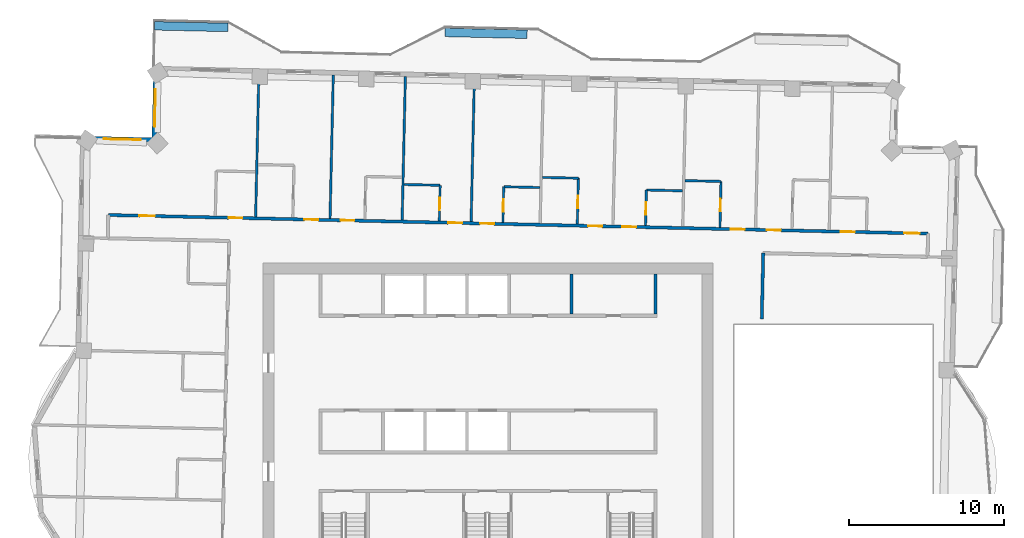
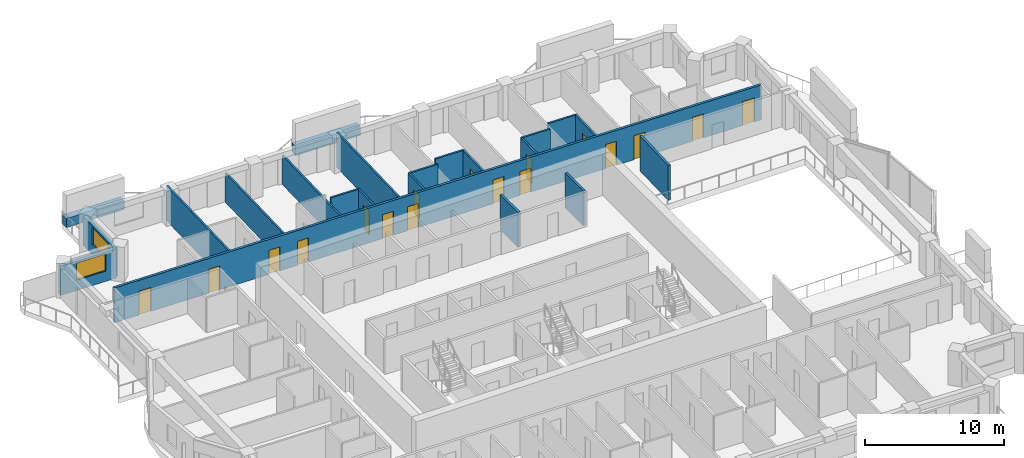
# One storey, part 11 of 17: 22 walls, 17 doors, 2 windows, 19 openings.
"""IFC4 building model written with IfcOpenShell, lengths in metres."""

from ifc_helpers import new_model, si_unit, direction, frame, frame_2d, origin, place, context, subcontext, project, spatial, rectangle, extrude, material, layer, layer_set, type_object, element, fill, save


model = new_model("IFC4")

# Units and contexts
model_context = context("Model", 3, precision=1e-05, world=origin(), true_north=direction((0.0, 1.0)))
body_context = subcontext(model_context, "Body", "Model", "MODEL_VIEW")
ifc_project = project(units=[si_unit("LENGTHUNIT", "METRE"), si_unit("AREAUNIT", "SQUARE_METRE"), si_unit("VOLUMEUNIT", "CUBIC_METRE"), si_unit("PLANEANGLEUNIT", "RADIAN"), si_unit("MASSUNIT", "GRAM", prefix="KILO")], contexts=[model_context])

# Site, building, storey
site_placement = place(None, origin())
site = spatial("IfcSite", under=ifc_project, at=site_placement, CompositionType="ELEMENT")
building_placement = place(site_placement, origin())
building = spatial("IfcBuilding", under=site, at=building_placement, Name="Mangrove Gate Tower", CompositionType="ELEMENT")
storey_placement = place(building_placement, frame((0.0, 0.0, 260.89990234375)))
storey = spatial("IfcBuildingStorey", under=building, at=storey_placement, Name="L66", CompositionType="ELEMENT", Elevation=260.89990234375)

# Walls
ifc_material_1 = material(Name="Concrete C32/40", Category="concrete")
ifc_layer_1 = layer(ifc_material_1, 0.199951171875)
ifc_layer_set_1 = layer_set([ifc_layer_1], Name="Core room wall 200 C32/40")
wall_type_1 = type_object("IfcWallType", Name="Core room wall 200 C32/40", PredefinedType="STANDARD", material=ifc_layer_set_1)
for number, where, z_axis, x_axis, name in (
    (1, (5.39990234375, 8.199951171875, 0.0), (0.0, 0.0, 1.0), (0.0, 1.0, 0.0), "WALL-L66-CORE-30"),
    (2, (10.800048828125, 8.199951171875, 0.0), (0.0, 0.0, 1.0), (0.0, 1.0, 0.0), "WALL-L66-CORE-31"),
):
    element("IfcWall", number, at=place(storey_placement, frame(where, z_axis=z_axis, x_axis=x_axis)), inside=storey, type_object=wall_type_1, Name=name, PredefinedType="STANDARD", context=body_context, shape_type="SweptSolid", body=[
        extrude(rectangle(XDim=2.60009765625, YDim=0.199951171875, at=frame_2d((1.300048828125, 0.0))), origin(), (0.0, 0.0, 1.0), 3.050048828125),
    ])
ifc_material_2 = material(Name="Gypsum board on steel stud, EI 60", Category="steel")
ifc_layer_2 = layer(ifc_material_2, 0.199951171875)
ifc_layer_set_2 = layer_set([ifc_layer_2], Name="Corridor wall EI 60")
wall_type_2 = type_object("IfcWallType", Name="Corridor wall EI 60", PredefinedType="PARTITIONING", material=ifc_layer_set_2)
wall_1_placement = place(storey_placement, frame((17.660888671875, 7.904052734375, 0.0), z_axis=(0.0, 0.0, 1.0), x_axis=(0.022718785711, 0.999741895079, 0.0)))
element("IfcWall", 3, at=wall_1_placement, inside=storey, type_object=wall_type_2, Name="WALL-L66-051", PredefinedType="PARTITIONING", context=body_context, shape_type="SweptSolid", body=[
    extrude(rectangle(XDim=4.23388671875, YDim=0.199951171875, at=frame_2d((2.116943359375, 0.0))), origin(), (0.0, 0.0, 1.0), 3.050048828125),
])

# Wall, openings, doors
wall_2_placement = place(storey_placement, frame((-24.47412109375, 14.595947265625, 0.0), z_axis=(0.0, 0.0, 1.0), x_axis=(0.999742424031, -0.022695497208, 0.0)))
wall_2 = element("IfcWall", 4, at=wall_2_placement, inside=storey, type_object=wall_type_2, Name="WALL-L66-060", PredefinedType="PARTITIONING", context=body_context, shape_type="SweptSolid", body=[
    extrude(rectangle(XDim=52.871826171875, YDim=0.199951171875, at=frame_2d((26.43603515625, 0.0))), origin(), (0.0, 0.0, 1.0), 3.050048828125),
])
opening_1_placement = place(wall_2_placement, frame((51.3359375, 0.0, 0.0)))
opening_1 = element("IfcOpeningElement", 5, at=opening_1_placement, cuts=wall_2, Name="Opening AD", PredefinedType="OPENING", context=body_context, shape_type="SweptSolid", body=[
    extrude(rectangle(XDim=1.0, YDim=2.10009765625, at=frame_2d((0.5, 1.050048828125))), frame((0.0, 0.10986328125, 0.0), z_axis=(0.0, -1.0, 0.0), x_axis=(1.0, 0.0, 0.0)), (0.0, 0.0, 1.0), 0.219970703125),
])
opening_2_placement = place(wall_2_placement, frame((47.25, 0.0, 0.0)))
opening_2 = element("IfcOpeningElement", 6, at=opening_2_placement, cuts=wall_2, Name="Opening SD", PredefinedType="OPENING", context=body_context, shape_type="SweptSolid", body=[
    extrude(rectangle(XDim=0.89990234375, YDim=2.10009765625, at=frame_2d((0.449951171875, 1.050048828125))), frame((0.0, 0.10986328125, 0.0), z_axis=(0.0, -1.0, 0.0), x_axis=(1.0, 0.0, 0.0)), (0.0, 0.0, 1.0), 0.219970703125),
])
opening_3_placement = place(wall_2_placement, frame((42.47509765625, 0.0, 0.0)))
opening_3 = element("IfcOpeningElement", 7, at=opening_3_placement, cuts=wall_2, Name="Opening BD", PredefinedType="OPENING", context=body_context, shape_type="SweptSolid", body=[
    extrude(rectangle(XDim=0.89990234375, YDim=2.10009765625, at=frame_2d((0.449951171875, 1.050048828125))), frame((0.0, 0.10986328125, 0.0), z_axis=(0.0, -1.0, 0.0), x_axis=(1.0, 0.0, 0.0)), (0.0, 0.0, 1.0), 0.219970703125),
])
opening_4_placement = place(wall_2_placement, frame((40.14990234375, 0.0, 0.0)))
opening_4 = element("IfcOpeningElement", 8, at=opening_4_placement, cuts=wall_2, Name="Opening BD", PredefinedType="OPENING", context=body_context, shape_type="SweptSolid", body=[
    extrude(rectangle(XDim=0.89990234375, YDim=2.10009765625, at=frame_2d((0.449951171875, 1.050048828125))), frame((0.0, 0.10986328125, 0.0), z_axis=(0.0, -1.0, 0.0), x_axis=(1.0, 0.0, 0.0)), (0.0, 0.0, 1.0), 0.219970703125),
])
opening_5_placement = place(wall_2_placement, frame((33.14990234375, 0.0, 0.0)))
opening_5 = element("IfcOpeningElement", 9, at=opening_5_placement, cuts=wall_2, Name="Opening BD", PredefinedType="OPENING", context=body_context, shape_type="SweptSolid", body=[
    extrude(rectangle(XDim=0.89990234375, YDim=2.10009765625, at=frame_2d((0.449951171875, 1.050048828125))), frame((0.0, 0.10986328125, 0.0), z_axis=(0.0, -1.0, 0.0), x_axis=(1.0, 0.0, 0.0)), (0.0, 0.0, 1.0), 0.219970703125),
])
opening_6_placement = place(wall_2_placement, frame((30.949951171875, 0.0, 0.0)))
opening_6 = element("IfcOpeningElement", 10, at=opening_6_placement, cuts=wall_2, Name="Opening BD", PredefinedType="OPENING", context=body_context, shape_type="SweptSolid", body=[
    extrude(rectangle(XDim=0.89990234375, YDim=2.10009765625, at=frame_2d((0.449951171875, 1.050048828125))), frame((0.0, 0.10986328125, 0.0), z_axis=(0.0, -1.0, 0.0), x_axis=(1.0, 0.0, 0.0)), (0.0, 0.0, 1.0), 0.219970703125),
])
opening_7_placement = place(wall_2_placement, frame((23.97509765625, 0.0, 0.0)))
opening_7 = element("IfcOpeningElement", 11, at=opening_7_placement, cuts=wall_2, Name="Opening BD", PredefinedType="OPENING", context=body_context, shape_type="SweptSolid", body=[
    extrude(rectangle(XDim=0.89990234375, YDim=2.10009765625, at=frame_2d((0.449951171875, 1.050048828125))), frame((0.0, 0.10986328125, 0.0), z_axis=(0.0, -1.0, 0.0), x_axis=(1.0, 0.0, 0.0)), (0.0, 0.0, 1.0), 0.219970703125),
])
opening_8_placement = place(wall_2_placement, frame((21.925048828125, 0.0, 0.0)))
opening_8 = element("IfcOpeningElement", 12, at=opening_8_placement, cuts=wall_2, Name="Opening BD", PredefinedType="OPENING", context=body_context, shape_type="SweptSolid", body=[
    extrude(rectangle(XDim=0.89990234375, YDim=2.10009765625, at=frame_2d((0.449951171875, 1.050048828125))), frame((0.0, 0.10986328125, 0.0), z_axis=(0.0, -1.0, 0.0), x_axis=(1.0, 0.0, 0.0)), (0.0, 0.0, 1.0), 0.219970703125),
])
opening_9_placement = place(wall_2_placement, frame((14.97509765625, 0.0, 0.0)))
opening_9 = element("IfcOpeningElement", 13, at=opening_9_placement, cuts=wall_2, Name="Opening BD", PredefinedType="OPENING", context=body_context, shape_type="SweptSolid", body=[
    extrude(rectangle(XDim=0.89990234375, YDim=2.10009765625, at=frame_2d((0.449951171875, 1.050048828125))), frame((0.0, 0.10986328125, 0.0), z_axis=(0.0, -1.0, 0.0), x_axis=(1.0, 0.0, 0.0)), (0.0, 0.0, 1.0), 0.219970703125),
])
opening_10_placement = place(wall_2_placement, frame((12.64990234375, 0.0, 0.0)))
opening_10 = element("IfcOpeningElement", 14, at=opening_10_placement, cuts=wall_2, Name="Opening BD", PredefinedType="OPENING", context=body_context, shape_type="SweptSolid", body=[
    extrude(rectangle(XDim=0.89990234375, YDim=2.10009765625, at=frame_2d((0.449951171875, 1.050048828125))), frame((0.0, 0.10986328125, 0.0), z_axis=(0.0, -1.0, 0.0), x_axis=(1.0, 0.0, 0.0)), (0.0, 0.0, 1.0), 0.219970703125),
])
opening_11_placement = place(wall_2_placement, frame((2.0, 0.0, 0.0)))
opening_11 = element("IfcOpeningElement", 15, at=opening_11_placement, cuts=wall_2, Name="Opening AD", PredefinedType="OPENING", context=body_context, shape_type="SweptSolid", body=[
    extrude(rectangle(XDim=1.0, YDim=2.10009765625, at=frame_2d((0.5, 1.050048828125))), frame((0.0, 0.10986328125, 0.0), z_axis=(0.0, -1.0, 0.0), x_axis=(1.0, 0.0, 0.0)), (0.0, 0.0, 1.0), 0.219970703125),
])
opening_12_placement = place(wall_2_placement, frame((7.75, 0.0, 0.0)))
opening_12 = element("IfcOpeningElement", 16, at=opening_12_placement, cuts=wall_2, Name="Opening SD", PredefinedType="OPENING", context=body_context, shape_type="SweptSolid", body=[
    extrude(rectangle(XDim=0.89990234375, YDim=2.10009765625, at=frame_2d((0.449951171875, 1.050048828125))), frame((0.0, 0.10986328125, 0.0), z_axis=(0.0, -1.0, 0.0), x_axis=(1.0, 0.0, 0.0)), (0.0, 0.0, 1.0), 0.219970703125),
])
ifc_material_3 = material(Name="Timber door leaf", Category="wood")
door_type_1 = type_object("IfcDoorType", Name="Amenity door 1000", OperationType="SINGLE_SWING_LEFT", PredefinedType="DOOR", material=ifc_material_3)
door_1_placement = place(opening_1_placement, origin())
door_1 = element("IfcDoor", 17, at=door_1_placement, inside=storey, type_object=door_type_1, Name="DOOR-L66-STU-c3a", OperationType="SINGLE_SWING_LEFT", OverallHeight=2.10009765625, OverallWidth=1.0, PredefinedType="DOOR", context=body_context, shape_type="SweptSolid", body=[
    extrude(rectangle(XDim=1.0, YDim=2.10009765625, at=frame_2d((0.5, 1.050048828125))), frame((0.0, 0.02490234375, 0.0), z_axis=(0.0, -1.0, 0.0), x_axis=(1.0, 0.0, 0.0)), (0.0, 0.0, 1.0), 0.050048828125),
])
fill(opening_1, door_1)
door_2_placement = place(opening_11_placement, origin())
door_2 = element("IfcDoor", 18, at=door_2_placement, inside=storey, type_object=door_type_1, Name="DOOR-L66-GAM-c5a", OperationType="SINGLE_SWING_RIGHT", OverallHeight=2.10009765625, OverallWidth=1.0, PredefinedType="DOOR", context=body_context, shape_type="SweptSolid", body=[
    extrude(rectangle(XDim=1.0, YDim=2.10009765625, at=frame_2d((0.5, 1.050048828125))), frame((0.0, 0.02490234375, 0.0), z_axis=(0.0, -1.0, 0.0), x_axis=(1.0, 0.0, 0.0)), (0.0, 0.0, 1.0), 0.050048828125),
])
fill(opening_11, door_2)
ifc_material_4 = material(Name="Timber door leaf", Category="wood")
door_type_2 = type_object("IfcDoorType", Name="Bedroom door 900", OperationType="SINGLE_SWING_LEFT", PredefinedType="DOOR", material=ifc_material_4)
door_3_placement = place(opening_3_placement, origin())
door_3 = element("IfcDoor", 19, at=door_3_placement, inside=storey, type_object=door_type_2, Name="DOOR-L66-BED-c310", OperationType="SINGLE_SWING_RIGHT", OverallHeight=2.10009765625, OverallWidth=0.89990234375, PredefinedType="DOOR", context=body_context, shape_type="SweptSolid", body=[
    extrude(rectangle(XDim=0.89990234375, YDim=2.10009765625, at=frame_2d((0.449951171875, 1.050048828125))), frame((0.0, 0.02490234375, 0.0), z_axis=(0.0, -1.0, 0.0), x_axis=(1.0, 0.0, 0.0)), (0.0, 0.0, 1.0), 0.050048828125),
])
fill(opening_3, door_3)
door_4_placement = place(opening_4_placement, origin())
door_4 = element("IfcDoor", 20, at=door_4_placement, inside=storey, type_object=door_type_2, Name="DOOR-L66-BED-c311", OperationType="SINGLE_SWING_LEFT", OverallHeight=2.10009765625, OverallWidth=0.89990234375, PredefinedType="DOOR", context=body_context, shape_type="SweptSolid", body=[
    extrude(rectangle(XDim=0.89990234375, YDim=2.10009765625, at=frame_2d((0.449951171875, 1.050048828125))), frame((0.0, 0.02490234375, 0.0), z_axis=(0.0, -1.0, 0.0), x_axis=(1.0, 0.0, 0.0)), (0.0, 0.0, 1.0), 0.050048828125),
])
fill(opening_4, door_4)
door_5_placement = place(opening_5_placement, origin())
door_5 = element("IfcDoor", 21, at=door_5_placement, inside=storey, type_object=door_type_2, Name="DOOR-L66-BED-c412", OperationType="SINGLE_SWING_RIGHT", OverallHeight=2.10009765625, OverallWidth=0.89990234375, PredefinedType="DOOR", context=body_context, shape_type="SweptSolid", body=[
    extrude(rectangle(XDim=0.89990234375, YDim=2.10009765625, at=frame_2d((0.449951171875, 1.050048828125))), frame((0.0, 0.02490234375, 0.0), z_axis=(0.0, -1.0, 0.0), x_axis=(1.0, 0.0, 0.0)), (0.0, 0.0, 1.0), 0.050048828125),
])
fill(opening_5, door_5)
door_6_placement = place(opening_6_placement, origin())
door_6 = element("IfcDoor", 22, at=door_6_placement, inside=storey, type_object=door_type_2, Name="DOOR-L66-BED-c413", OperationType="SINGLE_SWING_LEFT", OverallHeight=2.10009765625, OverallWidth=0.89990234375, PredefinedType="DOOR", context=body_context, shape_type="SweptSolid", body=[
    extrude(rectangle(XDim=0.89990234375, YDim=2.10009765625, at=frame_2d((0.449951171875, 1.050048828125))), frame((0.0, 0.02490234375, 0.0), z_axis=(0.0, -1.0, 0.0), x_axis=(1.0, 0.0, 0.0)), (0.0, 0.0, 1.0), 0.050048828125),
])
fill(opening_6, door_6)
door_7_placement = place(opening_7_placement, origin())
door_7 = element("IfcDoor", 23, at=door_7_placement, inside=storey, type_object=door_type_2, Name="DOOR-L66-BED-c414", OperationType="SINGLE_SWING_RIGHT", OverallHeight=2.10009765625, OverallWidth=0.89990234375, PredefinedType="DOOR", context=body_context, shape_type="SweptSolid", body=[
    extrude(rectangle(XDim=0.89990234375, YDim=2.10009765625, at=frame_2d((0.449951171875, 1.050048828125))), frame((0.0, 0.02490234375, 0.0), z_axis=(0.0, -1.0, 0.0), x_axis=(1.0, 0.0, 0.0)), (0.0, 0.0, 1.0), 0.050048828125),
])
fill(opening_7, door_7)
door_8_placement = place(opening_8_placement, origin())
door_8 = element("IfcDoor", 24, at=door_8_placement, inside=storey, type_object=door_type_2, Name="DOOR-L66-BED-c515", OperationType="SINGLE_SWING_LEFT", OverallHeight=2.10009765625, OverallWidth=0.89990234375, PredefinedType="DOOR", context=body_context, shape_type="SweptSolid", body=[
    extrude(rectangle(XDim=0.89990234375, YDim=2.10009765625, at=frame_2d((0.449951171875, 1.050048828125))), frame((0.0, 0.02490234375, 0.0), z_axis=(0.0, -1.0, 0.0), x_axis=(1.0, 0.0, 0.0)), (0.0, 0.0, 1.0), 0.050048828125),
])
fill(opening_8, door_8)
door_9_placement = place(opening_9_placement, origin())
door_9 = element("IfcDoor", 25, at=door_9_placement, inside=storey, type_object=door_type_2, Name="DOOR-L66-BED-c516", OperationType="SINGLE_SWING_RIGHT", OverallHeight=2.10009765625, OverallWidth=0.89990234375, PredefinedType="DOOR", context=body_context, shape_type="SweptSolid", body=[
    extrude(rectangle(XDim=0.89990234375, YDim=2.10009765625, at=frame_2d((0.449951171875, 1.050048828125))), frame((0.0, 0.02490234375, 0.0), z_axis=(0.0, -1.0, 0.0), x_axis=(1.0, 0.0, 0.0)), (0.0, 0.0, 1.0), 0.050048828125),
])
fill(opening_9, door_9)
door_10_placement = place(opening_10_placement, origin())
door_10 = element("IfcDoor", 26, at=door_10_placement, inside=storey, type_object=door_type_2, Name="DOOR-L66-BED-c517", OperationType="SINGLE_SWING_LEFT", OverallHeight=2.10009765625, OverallWidth=0.89990234375, PredefinedType="DOOR", context=body_context, shape_type="SweptSolid", body=[
    extrude(rectangle(XDim=0.89990234375, YDim=2.10009765625, at=frame_2d((0.449951171875, 1.050048828125))), frame((0.0, 0.02490234375, 0.0), z_axis=(0.0, -1.0, 0.0), x_axis=(1.0, 0.0, 0.0)), (0.0, 0.0, 1.0), 0.050048828125),
])
fill(opening_10, door_10)
ifc_material_5 = material(Name="Timber door leaf", Category="wood")
door_type_3 = type_object("IfcDoorType", Name="Service room door 900", OperationType="SINGLE_SWING_LEFT", PredefinedType="DOOR", material=ifc_material_5)
door_11_placement = place(opening_2_placement, origin())
door_11 = element("IfcDoor", 27, at=door_11_placement, inside=storey, type_object=door_type_3, Name="DOOR-L66-LIN-c3a", OperationType="SINGLE_SWING_LEFT", OverallHeight=2.10009765625, OverallWidth=0.89990234375, PredefinedType="DOOR", context=body_context, shape_type="SweptSolid", body=[
    extrude(rectangle(XDim=0.89990234375, YDim=2.10009765625, at=frame_2d((0.449951171875, 1.050048828125))), frame((0.0, 0.02490234375, 0.0), z_axis=(0.0, -1.0, 0.0), x_axis=(1.0, 0.0, 0.0)), (0.0, 0.0, 1.0), 0.050048828125),
])
fill(opening_2, door_11)
door_12_placement = place(opening_12_placement, origin())
door_12 = element("IfcDoor", 28, at=door_12_placement, inside=storey, type_object=door_type_3, Name="DOOR-L66-AWC-c5a", OperationType="SINGLE_SWING_RIGHT", OverallHeight=2.10009765625, OverallWidth=0.89990234375, PredefinedType="DOOR", context=body_context, shape_type="SweptSolid", body=[
    extrude(rectangle(XDim=0.89990234375, YDim=2.10009765625, at=frame_2d((0.449951171875, 1.050048828125))), frame((0.0, 0.02490234375, 0.0), z_axis=(0.0, -1.0, 0.0), x_axis=(1.0, 0.0, 0.0)), (0.0, 0.0, 1.0), 0.050048828125),
])
fill(opening_12, door_12)

# Wall, opening, window
ifc_material_6 = material(Name="Limestone", Category="masonry")
ifc_layer_3 = layer(ifc_material_6, 0.0400390625, Name="Limestone cladding")
ifc_material_7 = material(Name="Ventilated air gap")
ifc_layer_4 = layer(ifc_material_7, 0.0400390625, Name="Ventilated cavity")
ifc_material_8 = material(Name="Mineral wool insulation")
ifc_layer_5 = layer(ifc_material_8, 0.06005859375, Name="Insulation")
ifc_material_9 = material(Name="Breather membrane")
ifc_layer_6 = layer(ifc_material_9, 0.001953125, Name="Breather membrane")
ifc_material_10 = material(Name="Concrete C20/25 blockwork", Category="masonry")
ifc_layer_7 = layer(ifc_material_10, 0.14990234375, Name="Blockwork backing wall")
ifc_material_11 = material(Name="Gypsum plaster")
ifc_layer_8 = layer(ifc_material_11, 0.008056640625, Name="Internal plaster")
ifc_layer_set_3 = layer_set([ifc_layer_3, ifc_layer_4, ifc_layer_5, ifc_layer_6, ifc_layer_7, ifc_layer_8], Name="External wall 300 limestone cladding")
wall_type_3 = type_object("IfcWallType", Name="External wall 300 limestone cladding", PredefinedType="SOLIDWALL", material=ifc_layer_set_3)
wall_3_placement = place(storey_placement, frame((-21.408935546875, 24.029052734375, 0.0), z_axis=(0.0, 0.0, 1.0), x_axis=(-0.022820258049, -0.999739584003, 0.0)))
wall_3 = element("IfcWall", 29, at=wall_3_placement, inside=storey, type_object=wall_type_3, Name="WALL-L66-W6", PredefinedType="SOLIDWALL", context=body_context, shape_type="SweptSolid", body=[
    extrude(rectangle(XDim=4.600341796875, YDim=0.300048828125, at=frame_2d((2.30029296875, 0.0))), origin(), (0.0, 0.0, 1.0), 2.550048828125),
])
opening_13_placement = place(wall_3_placement, frame((1.327880859375, 0.0, 0.89990234375)))
opening_13 = element("IfcOpeningElement", 30, at=opening_13_placement, cuts=wall_3, Name="Opening W2", PredefinedType="OPENING", context=body_context, shape_type="SweptSolid", body=[
    extrude(rectangle(XDim=2.39990234375, YDim=1.5, at=frame_2d((1.199951171875, 0.75))), frame((0.0, 0.159912109375, 0.0), z_axis=(0.0, -1.0, 0.0), x_axis=(1.0, 0.0, 0.0)), (0.0, 0.0, 1.0), 0.320068359375),
])
ifc_material_12 = material(Name="Aluminium frame with double-glazed low-e glass", Category="aluminium")
window_type = type_object("IfcWindowType", Name="Corner room window 2400x1500", PartitioningType="DOUBLE_PANEL_VERTICAL", PredefinedType="WINDOW", material=ifc_material_12)
window_1_placement = place(opening_13_placement, origin())
window_1 = element("IfcWindow", 31, at=window_1_placement, inside=storey, type_object=window_type, Name="WIN-L66-W6-1", OverallHeight=1.5, OverallWidth=2.39990234375, PartitioningType="DOUBLE_PANEL_VERTICAL", PredefinedType="WINDOW", context=body_context, shape_type="SweptSolid", body=[
    extrude(rectangle(XDim=2.39990234375, YDim=1.5, at=frame_2d((1.199951171875, 0.75))), frame((0.0, 0.030029296875, 0.0), z_axis=(0.0, -1.0, 0.0), x_axis=(1.0, 0.0, 0.0)), (0.0, 0.0, 1.0), 0.06005859375),
])
fill(opening_13, window_1)

wall_4_placement = place(storey_placement, frame((-21.513916015625, 19.429931640625, 0.0), z_axis=(0.0, 0.0, 1.0), x_axis=(-0.999744404568, 0.02260808559, 0.0)))
wall_4 = element("IfcWall", 32, at=wall_4_placement, inside=storey, type_object=wall_type_3, Name="WALL-L66-N7", PredefinedType="SOLIDWALL", context=body_context, shape_type="SweptSolid", body=[
    extrude(rectangle(XDim=4.600341796875, YDim=0.300048828125, at=frame_2d((2.30029296875, 0.0))), origin(), (0.0, 0.0, 1.0), 2.550048828125),
])
opening_14_placement = place(wall_4_placement, frame((0.8720703125, 0.0, 0.89990234375)))
opening_14 = element("IfcOpeningElement", 33, at=opening_14_placement, cuts=wall_4, Name="Opening W2", PredefinedType="OPENING", context=body_context, shape_type="SweptSolid", body=[
    extrude(rectangle(XDim=2.39990234375, YDim=1.5, at=frame_2d((1.199951171875, 0.75))), frame((0.0, 0.159912109375, 0.0), z_axis=(0.0, -1.0, 0.0), x_axis=(1.0, 0.0, 0.0)), (0.0, 0.0, 1.0), 0.320068359375),
])
window_2_placement = place(opening_14_placement, origin())
window_2 = element("IfcWindow", 34, at=window_2_placement, inside=storey, type_object=window_type, Name="WIN-L66-N7-1", OverallHeight=1.5, OverallWidth=2.39990234375, PartitioningType="DOUBLE_PANEL_VERTICAL", PredefinedType="WINDOW", context=body_context, shape_type="SweptSolid", body=[
    extrude(rectangle(XDim=2.39990234375, YDim=1.5, at=frame_2d((1.199951171875, 0.75))), frame((0.0, 0.030029296875, 0.0), z_axis=(0.0, -1.0, 0.0), x_axis=(1.0, 0.0, 0.0)), (0.0, 0.0, 1.0), 0.06005859375),
])
fill(opening_14, window_2)

# Walls
ifc_material_13 = material(Name="Gypsum board on steel stud, EI 60", Category="steel")
ifc_layer_9 = layer(ifc_material_13, 0.14990234375)
ifc_layer_set_4 = layer_set([ifc_layer_9], Name="Party wall 150 EI 60")
wall_type_4 = type_object("IfcWallType", Name="Party wall 150 EI 60", PredefinedType="PARTITIONING", material=ifc_layer_set_4)
wall_5_placement = place(storey_placement, frame((-14.97802734375, 14.47998046875, 0.0), z_axis=(0.0, 0.0, 1.0), x_axis=(0.022697424684, 0.999742380272, 0.0)))
element("IfcWall", 35, at=wall_5_placement, inside=storey, type_object=wall_type_4, Name="WALL-L66-062", PredefinedType="PARTITIONING", context=body_context, shape_type="SweptSolid", body=[
    extrude(rectangle(XDim=9.25048828125, YDim=0.14990234375, at=frame_2d((4.625244140625, 0.0))), origin(), (0.0, 0.0, 1.0), 3.050048828125),
])
for number, where, z_axis, x_axis, name in (
    (36, (-10.179931640625, 14.37109375, 0.0), (0.0, 0.0, 1.0), (0.022698023584, 0.999742366675, 0.0), "WALL-L66-064"),
    (37, (-5.531005859375, 14.26611328125, 0.0), (0.0, 0.0, 1.0), (0.022698023584, 0.999742366675, 0.0), "WALL-L66-066"),
):
    element("IfcWall", number, at=place(storey_placement, frame(where, z_axis=z_axis, x_axis=x_axis)), inside=storey, type_object=wall_type_4, Name=name, PredefinedType="PARTITIONING", context=body_context, shape_type="SweptSolid", body=[
        extrude(rectangle(XDim=9.250244140625, YDim=0.14990234375, at=frame_2d((4.625, 0.0))), origin(), (0.0, 0.0, 1.0), 2.550048828125),
    ])

# Wall, opening, door
wall_6_placement = place(storey_placement, frame((-3.131103515625, 14.2109375, 0.0), z_axis=(0.0, 0.0, 1.0), x_axis=(0.022603288534, 0.999744513037, 0.0)))
wall_6 = element("IfcWall", 38, at=wall_6_placement, inside=storey, type_object=wall_type_4, Name="WALL-L66-067", PredefinedType="PARTITIONING", context=body_context, shape_type="SweptSolid", body=[
    extrude(rectangle(XDim=2.300537109375, YDim=0.14990234375, at=frame_2d((1.150390625, 0.0))), origin(), (0.0, 0.0, 1.0), 3.050048828125),
])
opening_15_placement = place(wall_6_placement, frame((0.699951171875, 0.0, 0.0)))
opening_15 = element("IfcOpeningElement", 39, at=opening_15_placement, cuts=wall_6, Name="Opening ED", PredefinedType="OPENING", context=body_context, shape_type="SweptSolid", body=[
    extrude(rectangle(XDim=0.800048828125, YDim=2.10009765625, at=frame_2d((0.39990234375, 1.050048828125))), frame((0.0, 0.0849609375, 0.0), z_axis=(0.0, -1.0, 0.0), x_axis=(1.0, 0.0, 0.0)), (0.0, 0.0, 1.0), 0.169921875),
])
ifc_material_14 = material(Name="Timber door leaf", Category="wood")
door_type_4 = type_object("IfcDoorType", Name="En-suite door 800", OperationType="SINGLE_SWING_LEFT", PredefinedType="DOOR", material=ifc_material_14)
door_13_placement = place(opening_15_placement, origin())
door_13 = element("IfcDoor", 40, at=door_13_placement, inside=storey, type_object=door_type_4, Name="DOOR-L66-ENS-c515", OperationType="SINGLE_SWING_LEFT", OverallHeight=2.10009765625, OverallWidth=0.800048828125, PredefinedType="DOOR", context=body_context, shape_type="SweptSolid", body=[
    extrude(rectangle(XDim=0.800048828125, YDim=2.10009765625, at=frame_2d((0.39990234375, 1.050048828125))), frame((0.0, 0.02490234375, 0.0), z_axis=(0.0, -1.0, 0.0), x_axis=(1.0, 0.0, 0.0)), (0.0, 0.0, 1.0), 0.050048828125),
])
fill(opening_15, door_13)

# Wall
wall_7_placement = place(storey_placement, frame((-1.08203125, 14.1650390625, 0.0), z_axis=(0.0, 0.0, 1.0), x_axis=(0.022697424684, 0.999742380272, 0.0)))
element("IfcWall", 41, at=wall_7_placement, inside=storey, type_object=wall_type_4, Name="WALL-L66-068", PredefinedType="PARTITIONING", context=body_context, shape_type="SweptSolid", body=[
    extrude(rectangle(XDim=9.25048828125, YDim=0.14990234375, at=frame_2d((4.625244140625, 0.0))), origin(), (0.0, 0.0, 1.0), 3.050048828125),
])

# Wall, opening, door
wall_8_placement = place(storey_placement, frame((0.968017578125, 14.117919921875, 0.0), z_axis=(0.0, 0.0, 1.0), x_axis=(0.022603288534, 0.999744513037, 0.0)))
wall_8 = element("IfcWall", 42, at=wall_8_placement, inside=storey, type_object=wall_type_4, Name="WALL-L66-069", PredefinedType="PARTITIONING", context=body_context, shape_type="SweptSolid", body=[
    extrude(rectangle(XDim=2.300537109375, YDim=0.14990234375, at=frame_2d((1.150390625, 0.0))), origin(), (0.0, 0.0, 1.0), 3.050048828125),
])
opening_16_placement = place(wall_8_placement, frame((0.699951171875, 0.0, 0.0)))
opening_16 = element("IfcOpeningElement", 43, at=opening_16_placement, cuts=wall_8, Name="Opening ED", PredefinedType="OPENING", context=body_context, shape_type="SweptSolid", body=[
    extrude(rectangle(XDim=0.800048828125, YDim=2.10009765625, at=frame_2d((0.39990234375, 1.050048828125))), frame((0.0, 0.0849609375, 0.0), z_axis=(0.0, -1.0, 0.0), x_axis=(1.0, 0.0, 0.0)), (0.0, 0.0, 1.0), 0.169921875),
])
door_14_placement = place(opening_16_placement, origin())
door_14 = element("IfcDoor", 44, at=door_14_placement, inside=storey, type_object=door_type_4, Name="DOOR-L66-ENS-c414", OperationType="SINGLE_SWING_RIGHT", OverallHeight=2.10009765625, OverallWidth=0.800048828125, PredefinedType="DOOR", context=body_context, shape_type="SweptSolid", body=[
    extrude(rectangle(XDim=0.800048828125, YDim=2.10009765625, at=frame_2d((0.39990234375, 1.050048828125))), frame((0.0, 0.02490234375, 0.0), z_axis=(0.0, -1.0, 0.0), x_axis=(1.0, 0.0, 0.0)), (0.0, 0.0, 1.0), 0.050048828125),
])
fill(opening_16, door_14)

wall_9_placement = place(storey_placement, frame((5.76611328125, 14.010009765625, 0.0), z_axis=(0.0, 0.0, 1.0), x_axis=(0.022601485787, 0.999744553794, 0.0)))
wall_9 = element("IfcWall", 45, at=wall_9_placement, inside=storey, type_object=wall_type_4, Name="WALL-L66-071", PredefinedType="PARTITIONING", context=body_context, shape_type="SweptSolid", body=[
    extrude(rectangle(XDim=2.959716796875, YDim=0.14990234375, at=frame_2d((1.47998046875, 0.0))), origin(), (0.0, 0.0, 1.0), 3.050048828125),
])
opening_17_placement = place(wall_9_placement, frame((1.030029296875, 0.0, 0.0)))
opening_17 = element("IfcOpeningElement", 46, at=opening_17_placement, cuts=wall_9, Name="Opening ED", PredefinedType="OPENING", context=body_context, shape_type="SweptSolid", body=[
    extrude(rectangle(XDim=0.800048828125, YDim=2.10009765625, at=frame_2d((0.39990234375, 1.050048828125))), frame((0.0, 0.0849609375, 0.0), z_axis=(0.0, -1.0, 0.0), x_axis=(1.0, 0.0, 0.0)), (0.0, 0.0, 1.0), 0.169921875),
])
door_15_placement = place(opening_17_placement, origin())
door_15 = element("IfcDoor", 47, at=door_15_placement, inside=storey, type_object=door_type_4, Name="DOOR-L66-ENS-c413", OperationType="SINGLE_SWING_LEFT", OverallHeight=2.10009765625, OverallWidth=0.800048828125, PredefinedType="DOOR", context=body_context, shape_type="SweptSolid", body=[
    extrude(rectangle(XDim=0.800048828125, YDim=2.10009765625, at=frame_2d((0.39990234375, 1.050048828125))), frame((0.0, 0.02490234375, 0.0), z_axis=(0.0, -1.0, 0.0), x_axis=(1.0, 0.0, 0.0)), (0.0, 0.0, 1.0), 0.050048828125),
])
fill(opening_17, door_15)

wall_10_placement = place(storey_placement, frame((10.1650390625, 13.909912109375, 0.0), z_axis=(0.0, 0.0, 1.0), x_axis=(0.022612884682, 0.999744296031, 0.0)))
wall_10 = element("IfcWall", 48, at=wall_10_placement, inside=storey, type_object=wall_type_4, Name="WALL-L66-073", PredefinedType="PARTITIONING", context=body_context, shape_type="SweptSolid", body=[
    extrude(rectangle(XDim=2.299560546875, YDim=0.14990234375, at=frame_2d((1.14990234375, 0.0))), origin(), (0.0, 0.0, 1.0), 3.050048828125),
])
opening_18_placement = place(wall_10_placement, frame((0.699951171875, 0.0, 0.0)))
opening_18 = element("IfcOpeningElement", 49, at=opening_18_placement, cuts=wall_10, Name="Opening ED", PredefinedType="OPENING", context=body_context, shape_type="SweptSolid", body=[
    extrude(rectangle(XDim=0.800048828125, YDim=2.10009765625, at=frame_2d((0.39990234375, 1.050048828125))), frame((0.0, 0.0849609375, 0.0), z_axis=(0.0, -1.0, 0.0), x_axis=(1.0, 0.0, 0.0)), (0.0, 0.0, 1.0), 0.169921875),
])
door_16_placement = place(opening_18_placement, origin())
door_16 = element("IfcDoor", 50, at=door_16_placement, inside=storey, type_object=door_type_4, Name="DOOR-L66-ENS-c412", OperationType="SINGLE_SWING_RIGHT", OverallHeight=2.10009765625, OverallWidth=0.800048828125, PredefinedType="DOOR", context=body_context, shape_type="SweptSolid", body=[
    extrude(rectangle(XDim=0.800048828125, YDim=2.10009765625, at=frame_2d((0.39990234375, 1.050048828125))), frame((0.0, 0.02490234375, 0.0), z_axis=(0.0, -1.0, 0.0), x_axis=(1.0, 0.0, 0.0)), (0.0, 0.0, 1.0), 0.050048828125),
])
fill(opening_18, door_16)

wall_11_placement = place(storey_placement, frame((14.964111328125, 13.801025390625, 0.0), z_axis=(0.0, 0.0, 1.0), x_axis=(0.022601485787, 0.999744553794, 0.0)))
wall_11 = element("IfcWall", 51, at=wall_11_placement, inside=storey, type_object=wall_type_4, Name="WALL-L66-075", PredefinedType="PARTITIONING", context=body_context, shape_type="SweptSolid", body=[
    extrude(rectangle(XDim=2.959716796875, YDim=0.14990234375, at=frame_2d((1.47998046875, 0.0))), origin(), (0.0, 0.0, 1.0), 3.050048828125),
])
opening_19_placement = place(wall_11_placement, frame((1.030029296875, 0.0, 0.0)))
opening_19 = element("IfcOpeningElement", 52, at=opening_19_placement, cuts=wall_11, Name="Opening ED", PredefinedType="OPENING", context=body_context, shape_type="SweptSolid", body=[
    extrude(rectangle(XDim=0.800048828125, YDim=2.10009765625, at=frame_2d((0.39990234375, 1.050048828125))), frame((0.0, 0.0849609375, 0.0), z_axis=(0.0, -1.0, 0.0), x_axis=(1.0, 0.0, 0.0)), (0.0, 0.0, 1.0), 0.169921875),
])
door_17_placement = place(opening_19_placement, origin())
door_17 = element("IfcDoor", 53, at=door_17_placement, inside=storey, type_object=door_type_4, Name="DOOR-L66-ENS-c311", OperationType="SINGLE_SWING_LEFT", OverallHeight=2.10009765625, OverallWidth=0.800048828125, PredefinedType="DOOR", context=body_context, shape_type="SweptSolid", body=[
    extrude(rectangle(XDim=0.800048828125, YDim=2.10009765625, at=frame_2d((0.39990234375, 1.050048828125))), frame((0.0, 0.02490234375, 0.0), z_axis=(0.0, -1.0, 0.0), x_axis=(1.0, 0.0, 0.0)), (0.0, 0.0, 1.0), 0.050048828125),
])
fill(opening_19, door_17)

# Walls
wall_12_placement = place(storey_placement, frame((-5.39990234375, 16.56298828125, 0.0), z_axis=(0.0, 0.0, 1.0), x_axis=(0.999749954681, -0.022361308448, 0.0)))
element("IfcWall", 54, at=wall_12_placement, inside=storey, type_object=wall_type_4, Name="WALL-L66-081", PredefinedType="PARTITIONING", context=body_context, shape_type="SweptSolid", body=[
    extrude(rectangle(XDim=2.325439453125, YDim=0.14990234375, at=frame_2d((1.16259765625, 0.0))), origin(), (0.0, 0.0, 1.0), 3.050048828125),
])
wall_13_placement = place(storey_placement, frame((1.02392578125, 16.41796875, 0.0), z_axis=(0.0, 0.0, 1.0), x_axis=(0.999740260747, -0.02279059109, 0.0)))
element("IfcWall", 55, at=wall_13_placement, inside=storey, type_object=wall_type_4, Name="WALL-L66-082", PredefinedType="PARTITIONING", context=body_context, shape_type="SweptSolid", body=[
    extrude(rectangle(XDim=2.324462890625, YDim=0.14990234375, at=frame_2d((1.162109375, 0.0))), origin(), (0.0, 0.0, 1.0), 3.050048828125),
])
wall_14_placement = place(storey_placement, frame((10.220947265625, 16.208984375, 0.0), z_axis=(0.0, 0.0, 1.0), x_axis=(0.999740478815, -0.022781023197, 0.0)))
element("IfcWall", 56, at=wall_14_placement, inside=storey, type_object=wall_type_4, Name="WALL-L66-083", PredefinedType="PARTITIONING", context=body_context, shape_type="SweptSolid", body=[
    extrude(rectangle(XDim=2.325439453125, YDim=0.14990234375, at=frame_2d((1.16259765625, 0.0))), origin(), (0.0, 0.0, 1.0), 3.050048828125),
])
for number, where, z_axis, x_axis, name in (
    (57, (3.512939453125, 17.02099609375, 0.0), (0.0, 0.0, 1.0), (0.999749744571, -0.022370700241, 0.0), "WALL-L66-086"),
    (58, (12.7109375, 16.81298828125, 0.0), (0.0, 0.0, 1.0), (0.999740260747, -0.02279059109, 0.0), "WALL-L66-087"),
):
    element("IfcWall", number, at=place(storey_placement, frame(where, z_axis=z_axis, x_axis=x_axis)), inside=storey, type_object=wall_type_4, Name=name, PredefinedType="PARTITIONING", context=body_context, shape_type="SweptSolid", body=[
        extrude(rectangle(XDim=2.324462890625, YDim=0.14990234375, at=frame_2d((1.162109375, 0.0))), origin(), (0.0, 0.0, 1.0), 3.050048828125),
    ])
ifc_material_15 = material(Name="Concrete C32/40", Category="concrete")
ifc_layer_10 = layer(ifc_material_15, 0.199951171875, Name="Planter trough wall")
ifc_material_16 = material(Name="Bituminous waterproofing membrane")
ifc_layer_11 = layer(ifc_material_16, 0.0048828125, Name="Waterproofing")
ifc_material_17 = material(Name="Drainage board and gravel")
ifc_layer_12 = layer(ifc_material_17, 0.044921875, Name="Drainage layer")
ifc_material_18 = material(Name="Planting soil")
ifc_layer_13 = layer(ifc_material_18, 0.300048828125, Name="Growing medium")
ifc_layer_set_5 = layer_set([ifc_layer_10, ifc_layer_11, ifc_layer_12, ifc_layer_13], Name="Planter wall 550 C32/40")
wall_type_5 = type_object("IfcWallType", Name="Planter wall 550 C32/40", PredefinedType="USERDEFINED", material=ifc_layer_set_5)
wall_15_placement = place(storey_placement, frame((-21.49609375, 26.7958984375, 0.0), z_axis=(0.0, 0.0, 1.0), x_axis=(0.999744993256, -0.022582038422, 0.0)))
element("IfcWall", 59, at=wall_15_placement, inside=storey, type_object=wall_type_5, Name="PLANTER L66 N1.1", ObjectType="PLANTER", PredefinedType="USERDEFINED", context=body_context, shape_type="SweptSolid", body=[
    extrude(rectangle(XDim=4.7353515625, YDim=0.550048828125, at=frame_2d((2.36767578125, 0.0))), origin(), (0.0, 0.0, 1.0), 0.800048828125),
])
wall_16_placement = place(storey_placement, frame((-2.764892578125, 26.37109375, 0.0), z_axis=(0.0, 0.0, 1.0), x_axis=(0.99974316553, -0.022662810424, 0.0)))
element("IfcWall", 60, at=wall_16_placement, inside=storey, type_object=wall_type_5, Name="PLANTER L66 N1.2", ObjectType="PLANTER", PredefinedType="USERDEFINED", context=body_context, shape_type="SweptSolid", body=[
    extrude(rectangle(XDim=5.30029296875, YDim=0.550048828125, at=frame_2d((2.650146484375, 0.0))), origin(), (0.0, 0.0, 1.0), 0.800048828125),
])

save(model, "model.ifc")
